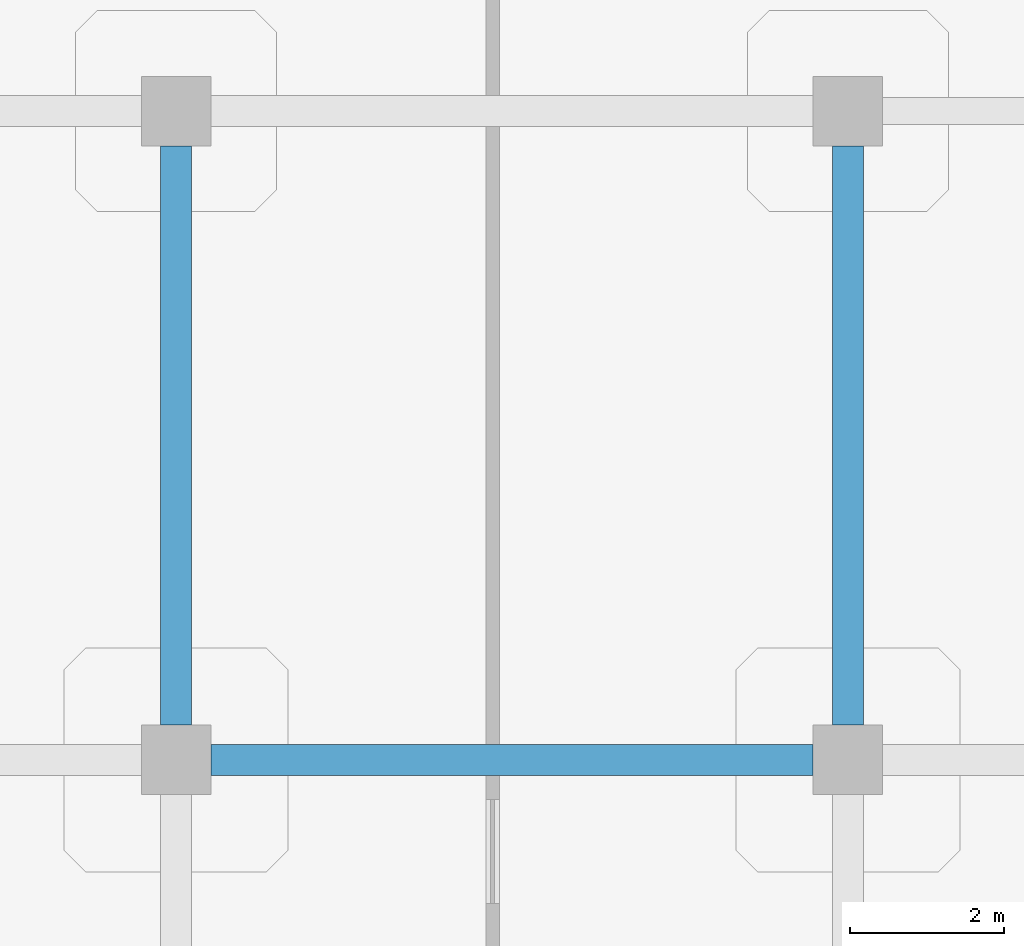
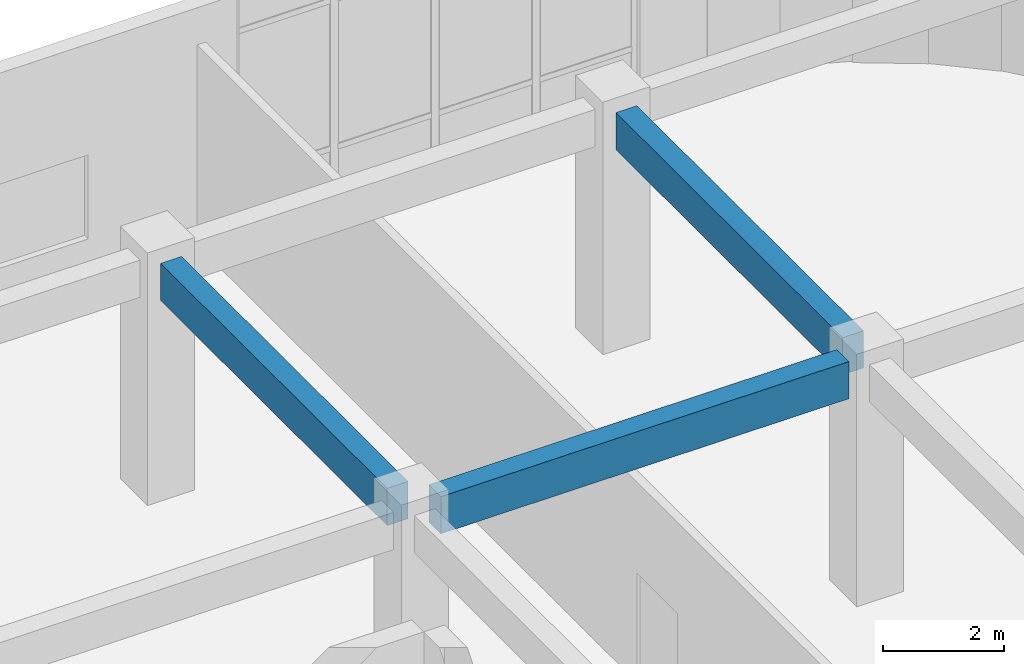
# One storey, part 64 of 120: 3 beams.
"""IFC4 building model written with IfcOpenShell, lengths in metres."""

from ifc_helpers import new_model, si_unit, derived_unit, direction, frame, origin, origin_2d, place, context, subcontext, project, spatial, rectangle, extrude, material, material_profile, profile_set, type_object, element, save


model = new_model("IFC4")

# Units and contexts
model_context = context("Model", 3, precision=1e-05, world=origin(), true_north=direction((0.0, 1.0)))
body_context = subcontext(model_context, "Body", "Model", "MODEL_VIEW")
ifc_project = project(units=[si_unit("LENGTHUNIT", "METRE"), si_unit("AREAUNIT", "SQUARE_METRE"), si_unit("VOLUMEUNIT", "CUBIC_METRE"), si_unit("PLANEANGLEUNIT", "RADIAN"), si_unit("MASSUNIT", "GRAM", prefix="KILO"), derived_unit("THERMALTRANSMITTANCEUNIT", [(si_unit("MASSUNIT", "GRAM", prefix="KILO"), 1), (si_unit("TIMEUNIT", "SECOND"), -3), (si_unit("THERMODYNAMICTEMPERATUREUNIT", "KELVIN"), -1)])], contexts=[model_context])

# Site, building, storey
site_placement = place(None, origin())
site = spatial("IfcSite", under=ifc_project, at=site_placement, CompositionType="ELEMENT")
building_placement = place(site_placement, origin())
building = spatial("IfcBuilding", under=site, at=building_placement, Name="Qinzheling Arcade Emporium", CompositionType="ELEMENT")
storey_placement = place(building_placement, frame((0.0, 0.0, 11.39990234375)))
storey = spatial("IfcBuildingStorey", under=building, at=storey_placement, Name="L03", CompositionType="ELEMENT", Elevation=11.39990234375)

# Beams
ifc_material = material(Name="Concrete C40", Category="concrete")
ifc_material_profile = material_profile(ifc_material, rectangle(XDim=0.39990234375, YDim=0.75, at=origin_2d()), Name="RC 400x750", Category="concrete")
ifc_profile_set = profile_set([ifc_material_profile], Name="Concrete C40")
beam_type = type_object("IfcBeamType", Name="RC Interior Tie Beam 400x750 C40", PredefinedType="BEAM", material=ifc_profile_set)
beam_placement = place(storey_placement, frame((148.35009765625, 16.800048828125, 4.43017578125), z_axis=(1.0, 0.0, 0.0), x_axis=(0.0, 1.0, 0.0)))
element("IfcBeam", 1, at=beam_placement, inside=storey, type_object=beam_type, Name="Beam BM-L03-X-C-18", PredefinedType="BEAM", context=body_context, shape_type="SweptSolid", body=[
    extrude(rectangle(XDim=0.39990234375, YDim=0.75, at=origin_2d()), origin(), (0.0, 0.0, 1.0), 7.7998046875),
])
for number, where, z_axis, x_axis, name in (
    (2, (147.89990234375, 17.25, 4.43017578125), (0.0, 1.0, 0.0), (-1.0, 0.0, 0.0), "Beam BM-L03-Y-18-C"),
    (3, (156.60009765625, 17.25, 4.43017578125), (0.0, 1.0, 0.0), (-1.0, 0.0, 0.0), "Beam BM-L03-Y-19-C"),
):
    element("IfcBeam", number, at=place(storey_placement, frame(where, z_axis=z_axis, x_axis=x_axis)), inside=storey, type_object=beam_type, Name=name, PredefinedType="BEAM", context=body_context, shape_type="SweptSolid", body=[
        extrude(rectangle(XDim=0.39990234375, YDim=0.75, at=origin_2d()), origin(), (0.0, 0.0, 1.0), 7.5),
    ])

save(model, "model.ifc")
